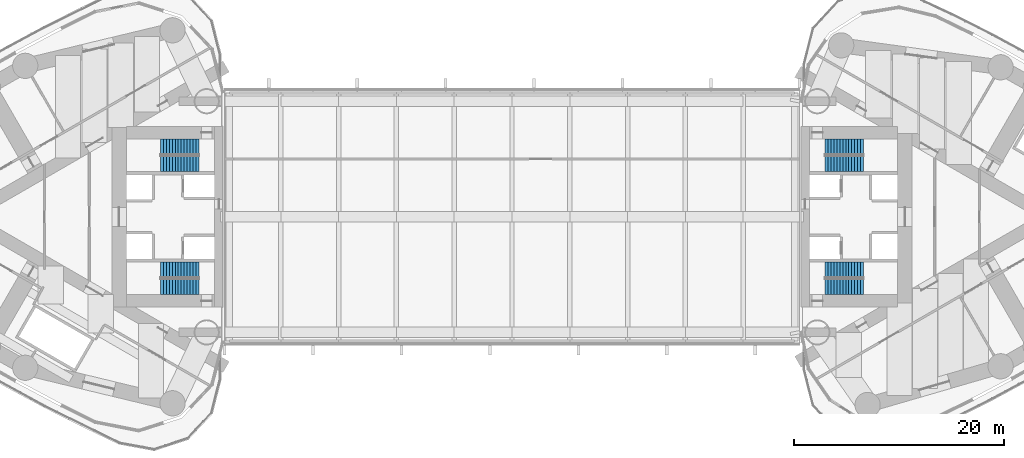
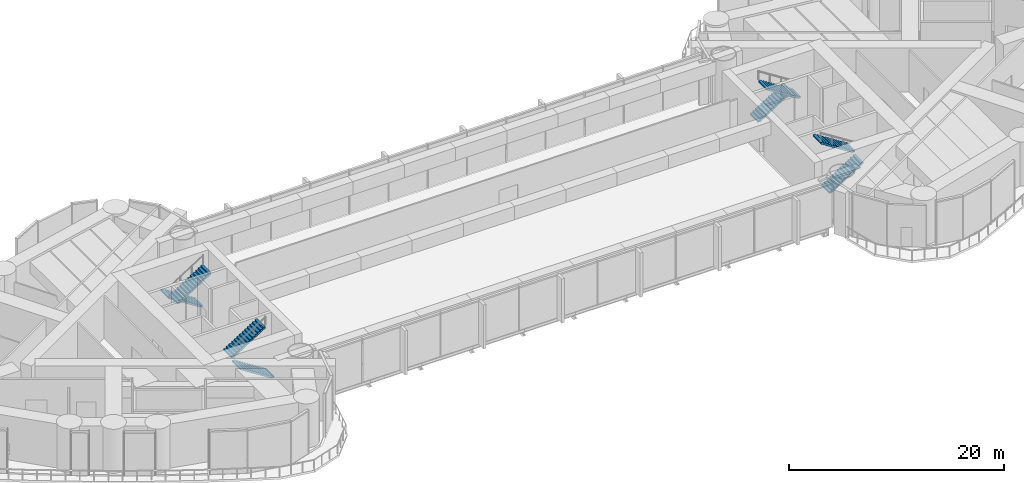
# One storey, part 20 of 22: 8 stair flights, 4 elements without a shape of their own.
"""IFC4 building model written with IfcOpenShell, lengths in metres."""

from ifc_helpers import new_model, si_unit, direction, frame, origin, place, context, subcontext, project, spatial, polyline, outline, extrude, material, type_object, element, aggregate, save


model = new_model("IFC4")

# Units and contexts
model_context = context("Model", 3, precision=1e-05, world=origin(), true_north=direction((0.0, 1.0)))
body_context = subcontext(model_context, "Body", "Model", "MODEL_VIEW")
ifc_project = project(units=[si_unit("LENGTHUNIT", "METRE"), si_unit("AREAUNIT", "SQUARE_METRE"), si_unit("VOLUMEUNIT", "CUBIC_METRE"), si_unit("PLANEANGLEUNIT", "RADIAN"), si_unit("MASSUNIT", "GRAM", prefix="KILO")], contexts=[model_context])

# Site, building, storey
site_placement = place(None, origin())
site = spatial("IfcSite", under=ifc_project, at=site_placement, CompositionType="ELEMENT")
building_placement = place(site_placement, origin())
building = spatial("IfcBuilding", under=site, at=building_placement, Name="Lancet Gate Hotel", CompositionType="ELEMENT")
storey_placement = place(building_placement, frame((0.0, 0.0, 210.300048828125)))
storey = spatial("IfcBuildingStorey", under=building, at=storey_placement, Name="L56", CompositionType="ELEMENT", Elevation=210.300048828125)

# Stair, stair flights
ifc_material_1 = material(Name="Exit stair 28 risers 1500")
stair_type = type_object("IfcStairType", Name="Exit stair 28 risers 1500", PredefinedType="HALF_TURN_STAIR", material=ifc_material_1)
stair_1_placement = place(storey_placement, origin())
stair_1 = element("IfcStair", 1, at=stair_1_placement, inside=storey, type_object=stair_type, Name="T1 stair 1 L56", PredefinedType="HALF_TURN_STAIR")
ifc_material_2 = material(Name="Stair flight 14 risers 179 rise 1500")
stair_flight_type = type_object("IfcStairFlightType", Name="Stair flight 14 risers 179 rise 1500", PredefinedType="STRAIGHT", material=ifc_material_2)
stair_flight_1_placement = place(storey_placement, frame((-29.800048828125, 6.64990234375, 0.0), z_axis=(0.0, 0.0, 1.0), x_axis=(-1.0, 0.0, 0.0)))
stair_flight_1 = element("IfcStairFlight", 2, at=stair_flight_1_placement, type_object=stair_flight_type, Name="ST1 flight 1", NumberOfRisers=14, NumberOfTreads=13, PredefinedType="STRAIGHT", RiserHeight=0.178571429, TreadLength=0.28, context=body_context, shape_type="SweptSolid", body=[
    extrude(outline(polyline([(0.0, 0.0), (0.0, 0.178466796875), (0.280029296875, 0.178466796875), (0.280029296875, 0.357177734375), (0.56005859375, 0.357177734375), (0.56005859375, 0.53564453125), (0.840087890625, 0.53564453125), (0.840087890625, 0.71435546875), (1.1201171875, 0.71435546875), (1.1201171875, 0.892822265625), (1.39990234375, 0.892822265625), (1.39990234375, 1.071533203125), (1.679931640625, 1.071533203125), (1.679931640625, 1.25), (1.9599609375, 1.25), (1.9599609375, 1.428466796875), (2.239990234375, 1.428466796875), (2.239990234375, 1.607177734375), (2.52001953125, 1.607177734375), (2.52001953125, 1.78564453125), (2.800048828125, 1.78564453125), (2.800048828125, 1.96435546875), (3.080078125, 1.96435546875), (3.080078125, 2.142822265625), (3.360107421875, 2.142822265625), (3.360107421875, 2.321533203125), (3.639892578125, 2.321533203125), (3.639892578125, 2.5), (3.639892578125, 2.1435546875), (0.27880859375, 0.0), (0.0, 0.0)])), frame((0.0, 0.75, 0.0), z_axis=(0.0, -1.0, 0.0), x_axis=(1.0, 0.0, 0.0)), (0.0, 0.0, 1.0), 1.5),
])
stair_flight_2_placement = place(storey_placement, frame((-33.43994140625, 5.050048828125, 2.5), z_axis=(0.0, 0.0, 1.0), x_axis=(1.0, 0.0, 0.0)))
stair_flight_2 = element("IfcStairFlight", 3, at=stair_flight_2_placement, type_object=stair_flight_type, Name="ST1 flight 2", NumberOfRisers=14, NumberOfTreads=13, PredefinedType="STRAIGHT", RiserHeight=0.178571429, TreadLength=0.28, context=body_context, shape_type="SweptSolid", body=[
    extrude(outline(polyline([(0.0, 0.0), (0.0, 0.178466796875), (0.280029296875, 0.178466796875), (0.280029296875, 0.357177734375), (0.56005859375, 0.357177734375), (0.56005859375, 0.53564453125), (0.840087890625, 0.53564453125), (0.840087890625, 0.71435546875), (1.1201171875, 0.71435546875), (1.1201171875, 0.892822265625), (1.39990234375, 0.892822265625), (1.39990234375, 1.071533203125), (1.679931640625, 1.071533203125), (1.679931640625, 1.25), (1.9599609375, 1.25), (1.9599609375, 1.428466796875), (2.239990234375, 1.428466796875), (2.239990234375, 1.607177734375), (2.52001953125, 1.607177734375), (2.52001953125, 1.78564453125), (2.800048828125, 1.78564453125), (2.800048828125, 1.96435546875), (3.080078125, 1.96435546875), (3.080078125, 2.142822265625), (3.360107421875, 2.142822265625), (3.360107421875, 2.321533203125), (3.639892578125, 2.321533203125), (3.639892578125, 2.5), (3.639892578125, 2.1435546875), (0.27880859375, 0.0), (0.0, 0.0)])), frame((0.0, 0.75, 0.0), z_axis=(0.0, -1.0, 0.0), x_axis=(1.0, 0.0, 0.0)), (0.0, 0.0, 1.0), 1.5),
])
aggregate(stair_1, [stair_flight_1, stair_flight_2])

stair_2_placement = place(storey_placement, origin())
stair_2 = element("IfcStair", 4, at=stair_2_placement, inside=storey, type_object=stair_type, Name="T1 stair 2 L56", PredefinedType="HALF_TURN_STAIR")
stair_flight_3_placement = place(storey_placement, frame((-29.800048828125, -6.64990234375, 0.0), z_axis=(0.0, 0.0, 1.0), x_axis=(-1.0, 0.0, 0.0)))
stair_flight_3 = element("IfcStairFlight", 5, at=stair_flight_3_placement, type_object=stair_flight_type, Name="ST2 flight 1", NumberOfRisers=14, NumberOfTreads=13, PredefinedType="STRAIGHT", RiserHeight=0.178571429, TreadLength=0.28, context=body_context, shape_type="SweptSolid", body=[
    extrude(outline(polyline([(0.0, 0.0), (0.0, 0.178466796875), (0.280029296875, 0.178466796875), (0.280029296875, 0.357177734375), (0.56005859375, 0.357177734375), (0.56005859375, 0.53564453125), (0.840087890625, 0.53564453125), (0.840087890625, 0.71435546875), (1.1201171875, 0.71435546875), (1.1201171875, 0.892822265625), (1.39990234375, 0.892822265625), (1.39990234375, 1.071533203125), (1.679931640625, 1.071533203125), (1.679931640625, 1.25), (1.9599609375, 1.25), (1.9599609375, 1.428466796875), (2.239990234375, 1.428466796875), (2.239990234375, 1.607177734375), (2.52001953125, 1.607177734375), (2.52001953125, 1.78564453125), (2.800048828125, 1.78564453125), (2.800048828125, 1.96435546875), (3.080078125, 1.96435546875), (3.080078125, 2.142822265625), (3.360107421875, 2.142822265625), (3.360107421875, 2.321533203125), (3.639892578125, 2.321533203125), (3.639892578125, 2.5), (3.639892578125, 2.1435546875), (0.27880859375, 0.0), (0.0, 0.0)])), frame((0.0, 0.75, 0.0), z_axis=(0.0, -1.0, 0.0), x_axis=(1.0, 0.0, 0.0)), (0.0, 0.0, 1.0), 1.5),
])
stair_flight_4_placement = place(storey_placement, frame((-33.43994140625, -5.050048828125, 2.5), z_axis=(0.0, 0.0, 1.0), x_axis=(1.0, 0.0, 0.0)))
stair_flight_4 = element("IfcStairFlight", 6, at=stair_flight_4_placement, type_object=stair_flight_type, Name="ST2 flight 2", NumberOfRisers=14, NumberOfTreads=13, PredefinedType="STRAIGHT", RiserHeight=0.178571429, TreadLength=0.28, context=body_context, shape_type="SweptSolid", body=[
    extrude(outline(polyline([(0.0, 0.0), (0.0, 0.178466796875), (0.280029296875, 0.178466796875), (0.280029296875, 0.357177734375), (0.56005859375, 0.357177734375), (0.56005859375, 0.53564453125), (0.840087890625, 0.53564453125), (0.840087890625, 0.71435546875), (1.1201171875, 0.71435546875), (1.1201171875, 0.892822265625), (1.39990234375, 0.892822265625), (1.39990234375, 1.071533203125), (1.679931640625, 1.071533203125), (1.679931640625, 1.25), (1.9599609375, 1.25), (1.9599609375, 1.428466796875), (2.239990234375, 1.428466796875), (2.239990234375, 1.607177734375), (2.52001953125, 1.607177734375), (2.52001953125, 1.78564453125), (2.800048828125, 1.78564453125), (2.800048828125, 1.96435546875), (3.080078125, 1.96435546875), (3.080078125, 2.142822265625), (3.360107421875, 2.142822265625), (3.360107421875, 2.321533203125), (3.639892578125, 2.321533203125), (3.639892578125, 2.5), (3.639892578125, 2.1435546875), (0.27880859375, 0.0), (0.0, 0.0)])), frame((0.0, 0.75, 0.0), z_axis=(0.0, -1.0, 0.0), x_axis=(1.0, 0.0, 0.0)), (0.0, 0.0, 1.0), 1.5),
])
aggregate(stair_2, [stair_flight_3, stair_flight_4])

stair_3_placement = place(storey_placement, origin())
stair_3 = element("IfcStair", 7, at=stair_3_placement, inside=storey, type_object=stair_type, Name="T2 stair 1 L56", PredefinedType="HALF_TURN_STAIR")
stair_flight_5_placement = place(storey_placement, frame((29.800048828125, -6.64990234375, 0.0), z_axis=(0.0, 0.0, 1.0), x_axis=(1.0, 0.0, 0.0)))
stair_flight_5 = element("IfcStairFlight", 8, at=stair_flight_5_placement, type_object=stair_flight_type, Name="ST3 flight 1", NumberOfRisers=14, NumberOfTreads=13, PredefinedType="STRAIGHT", RiserHeight=0.178571429, TreadLength=0.28, context=body_context, shape_type="SweptSolid", body=[
    extrude(outline(polyline([(0.0, 0.0), (0.0, 0.178466796875), (0.280029296875, 0.178466796875), (0.280029296875, 0.357177734375), (0.56005859375, 0.357177734375), (0.56005859375, 0.53564453125), (0.840087890625, 0.53564453125), (0.840087890625, 0.71435546875), (1.1201171875, 0.71435546875), (1.1201171875, 0.892822265625), (1.39990234375, 0.892822265625), (1.39990234375, 1.071533203125), (1.679931640625, 1.071533203125), (1.679931640625, 1.25), (1.9599609375, 1.25), (1.9599609375, 1.428466796875), (2.239990234375, 1.428466796875), (2.239990234375, 1.607177734375), (2.52001953125, 1.607177734375), (2.52001953125, 1.78564453125), (2.800048828125, 1.78564453125), (2.800048828125, 1.96435546875), (3.080078125, 1.96435546875), (3.080078125, 2.142822265625), (3.360107421875, 2.142822265625), (3.360107421875, 2.321533203125), (3.639892578125, 2.321533203125), (3.639892578125, 2.5), (3.639892578125, 2.1435546875), (0.27880859375, 0.0), (0.0, 0.0)])), frame((0.0, 0.75, 0.0), z_axis=(0.0, -1.0, 0.0), x_axis=(1.0, 0.0, 0.0)), (0.0, 0.0, 1.0), 1.5),
])
stair_flight_6_placement = place(storey_placement, frame((33.43994140625, -5.050048828125, 2.5), z_axis=(0.0, 0.0, 1.0), x_axis=(-1.0, 0.0, 0.0)))
stair_flight_6 = element("IfcStairFlight", 9, at=stair_flight_6_placement, type_object=stair_flight_type, Name="ST3 flight 2", NumberOfRisers=14, NumberOfTreads=13, PredefinedType="STRAIGHT", RiserHeight=0.178571429, TreadLength=0.28, context=body_context, shape_type="SweptSolid", body=[
    extrude(outline(polyline([(0.0, 0.0), (0.0, 0.178466796875), (0.280029296875, 0.178466796875), (0.280029296875, 0.357177734375), (0.56005859375, 0.357177734375), (0.56005859375, 0.53564453125), (0.840087890625, 0.53564453125), (0.840087890625, 0.71435546875), (1.1201171875, 0.71435546875), (1.1201171875, 0.892822265625), (1.39990234375, 0.892822265625), (1.39990234375, 1.071533203125), (1.679931640625, 1.071533203125), (1.679931640625, 1.25), (1.9599609375, 1.25), (1.9599609375, 1.428466796875), (2.239990234375, 1.428466796875), (2.239990234375, 1.607177734375), (2.52001953125, 1.607177734375), (2.52001953125, 1.78564453125), (2.800048828125, 1.78564453125), (2.800048828125, 1.96435546875), (3.080078125, 1.96435546875), (3.080078125, 2.142822265625), (3.360107421875, 2.142822265625), (3.360107421875, 2.321533203125), (3.639892578125, 2.321533203125), (3.639892578125, 2.5), (3.639892578125, 2.1435546875), (0.27880859375, 0.0), (0.0, 0.0)])), frame((0.0, 0.75, 0.0), z_axis=(0.0, -1.0, 0.0), x_axis=(1.0, 0.0, 0.0)), (0.0, 0.0, 1.0), 1.5),
])
aggregate(stair_3, [stair_flight_5, stair_flight_6])

stair_4_placement = place(storey_placement, origin())
stair_4 = element("IfcStair", 10, at=stair_4_placement, inside=storey, type_object=stair_type, Name="T2 stair 2 L56", PredefinedType="HALF_TURN_STAIR")
stair_flight_7_placement = place(storey_placement, frame((29.800048828125, 6.64990234375, 0.0), z_axis=(0.0, 0.0, 1.0), x_axis=(1.0, 0.0, 0.0)))
stair_flight_7 = element("IfcStairFlight", 11, at=stair_flight_7_placement, type_object=stair_flight_type, Name="ST4 flight 1", NumberOfRisers=14, NumberOfTreads=13, PredefinedType="STRAIGHT", RiserHeight=0.178571429, TreadLength=0.28, context=body_context, shape_type="SweptSolid", body=[
    extrude(outline(polyline([(0.0, 0.0), (0.0, 0.178466796875), (0.280029296875, 0.178466796875), (0.280029296875, 0.357177734375), (0.56005859375, 0.357177734375), (0.56005859375, 0.53564453125), (0.840087890625, 0.53564453125), (0.840087890625, 0.71435546875), (1.1201171875, 0.71435546875), (1.1201171875, 0.892822265625), (1.39990234375, 0.892822265625), (1.39990234375, 1.071533203125), (1.679931640625, 1.071533203125), (1.679931640625, 1.25), (1.9599609375, 1.25), (1.9599609375, 1.428466796875), (2.239990234375, 1.428466796875), (2.239990234375, 1.607177734375), (2.52001953125, 1.607177734375), (2.52001953125, 1.78564453125), (2.800048828125, 1.78564453125), (2.800048828125, 1.96435546875), (3.080078125, 1.96435546875), (3.080078125, 2.142822265625), (3.360107421875, 2.142822265625), (3.360107421875, 2.321533203125), (3.639892578125, 2.321533203125), (3.639892578125, 2.5), (3.639892578125, 2.1435546875), (0.27880859375, 0.0), (0.0, 0.0)])), frame((0.0, 0.75, 0.0), z_axis=(0.0, -1.0, 0.0), x_axis=(1.0, 0.0, 0.0)), (0.0, 0.0, 1.0), 1.5),
])
stair_flight_8_placement = place(storey_placement, frame((33.43994140625, 5.050048828125, 2.5), z_axis=(0.0, 0.0, 1.0), x_axis=(-1.0, 0.0, 0.0)))
stair_flight_8 = element("IfcStairFlight", 12, at=stair_flight_8_placement, type_object=stair_flight_type, Name="ST4 flight 2", NumberOfRisers=14, NumberOfTreads=13, PredefinedType="STRAIGHT", RiserHeight=0.178571429, TreadLength=0.28, context=body_context, shape_type="SweptSolid", body=[
    extrude(outline(polyline([(0.0, 0.0), (0.0, 0.178466796875), (0.280029296875, 0.178466796875), (0.280029296875, 0.357177734375), (0.56005859375, 0.357177734375), (0.56005859375, 0.53564453125), (0.840087890625, 0.53564453125), (0.840087890625, 0.71435546875), (1.1201171875, 0.71435546875), (1.1201171875, 0.892822265625), (1.39990234375, 0.892822265625), (1.39990234375, 1.071533203125), (1.679931640625, 1.071533203125), (1.679931640625, 1.25), (1.9599609375, 1.25), (1.9599609375, 1.428466796875), (2.239990234375, 1.428466796875), (2.239990234375, 1.607177734375), (2.52001953125, 1.607177734375), (2.52001953125, 1.78564453125), (2.800048828125, 1.78564453125), (2.800048828125, 1.96435546875), (3.080078125, 1.96435546875), (3.080078125, 2.142822265625), (3.360107421875, 2.142822265625), (3.360107421875, 2.321533203125), (3.639892578125, 2.321533203125), (3.639892578125, 2.5), (3.639892578125, 2.1435546875), (0.27880859375, 0.0), (0.0, 0.0)])), frame((0.0, 0.75, 0.0), z_axis=(0.0, -1.0, 0.0), x_axis=(1.0, 0.0, 0.0)), (0.0, 0.0, 1.0), 1.5),
])
aggregate(stair_4, [stair_flight_7, stair_flight_8])

save(model, "model.ifc")
